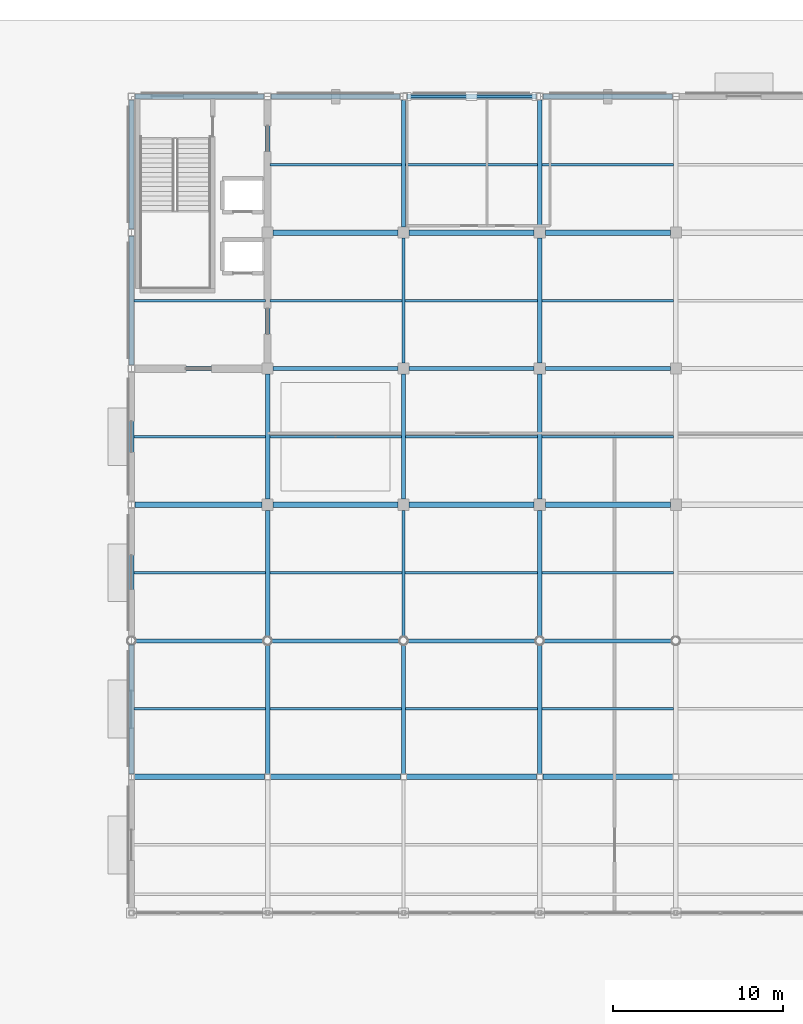
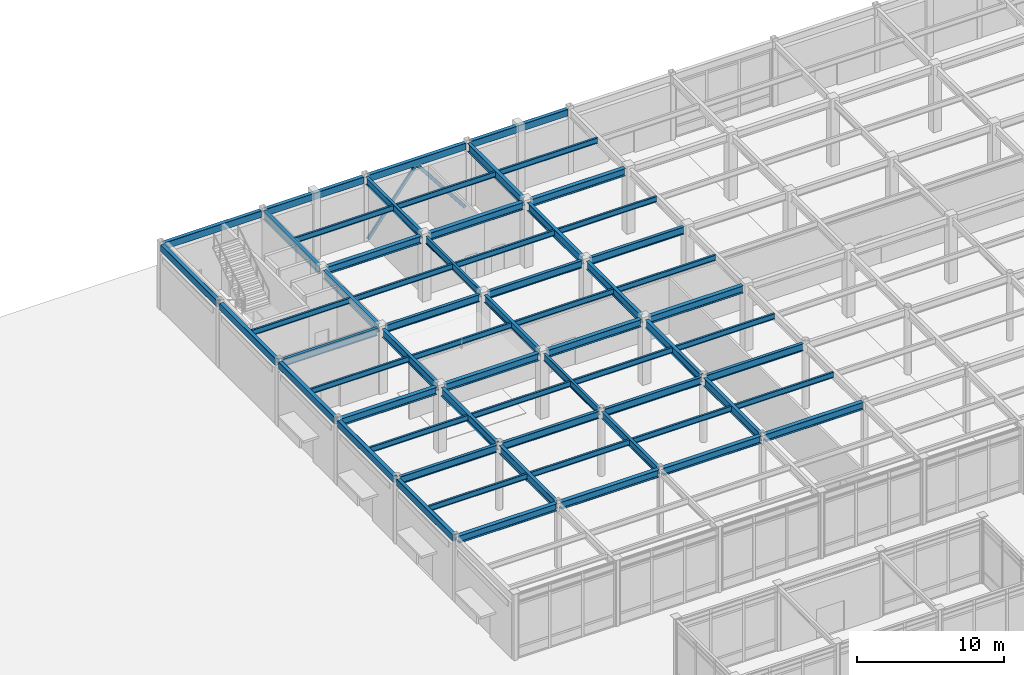
# One storey, part 65 of 128: 62 beams, 2 members.
"""IFC4 building model written with IfcOpenShell, lengths in metres."""

from ifc_helpers import new_model, si_unit, direction, frame, origin, origin_2d, place, context, subcontext, project, spatial, hollow_rectangle, i_section, extrude, material, material_profile, profile_set, type_object, element, save


model = new_model("IFC4")

# Units and contexts
model_context = context("Model", 3, precision=1e-05, world=origin(), true_north=direction((0.0, 1.0)))
body_context = subcontext(model_context, "Body", "Model", "MODEL_VIEW")
ifc_project = project(units=[si_unit("LENGTHUNIT", "METRE"), si_unit("AREAUNIT", "SQUARE_METRE"), si_unit("VOLUMEUNIT", "CUBIC_METRE"), si_unit("PLANEANGLEUNIT", "RADIAN"), si_unit("MASSUNIT", "GRAM", prefix="KILO")], contexts=[model_context])

# Site, building, storey
site_placement = place(None, origin())
site = spatial("IfcSite", under=ifc_project, at=site_placement, CompositionType="ELEMENT")
building_placement = place(site_placement, origin())
building = spatial("IfcBuilding", under=site, at=building_placement, Name="Solmirada Galleria", CompositionType="ELEMENT")
storey_placement = place(building_placement, origin())
storey = spatial("IfcBuildingStorey", under=building, at=storey_placement, Name="L00", CompositionType="ELEMENT", Elevation=0.0)

# Beams
ifc_material_1 = material(Name="Steel S355 / ASTM A992 Grade 50", Category="steel")
ifc_material_profile_1 = material_profile(ifc_material_1, i_section(OverallWidth=0.323974609375, OverallDepth=0.611083984375, WebThickness=0.0126953125, FlangeThickness=0.01904296875, FilletRadius=0.014892578125, at=origin_2d()), Name="W24X104")
ifc_profile_set_1 = profile_set([ifc_material_profile_1], Name="Steel S355 / ASTM A992 Grade 50")
beam_type_1 = type_object("IfcBeamType", Name="BM-GIRD-W24A", PredefinedType="BEAM", material=ifc_profile_set_1)
beam_1_placement = place(storey_placement, frame((40.177978515625, 80.0, 5.074462890625), z_axis=(1.0, 0.0, 0.0), x_axis=(0.0, 1.0, 0.0)))
element("IfcBeam", 1, at=beam_1_placement, inside=storey, type_object=beam_type_1, Name="Primary beam L01 X(40..48, 80)", PredefinedType="BEAM", context=body_context, shape_type="SweptSolid", body=[
    extrude(i_section(OverallWidth=0.323974609375, OverallDepth=0.611083984375, WebThickness=0.0126953125, FlangeThickness=0.01904296875, FilletRadius=0.014892578125, at=origin_2d()), origin(), (0.0, 0.0, 1.0), 7.64404296875),
])
beam_2_placement = place(storey_placement, frame((40.202880859375, 96.0, 5.074462890625), z_axis=(1.0, 0.0, 0.0), x_axis=(0.0, 1.0, 0.0)))
element("IfcBeam", 2, at=beam_2_placement, inside=storey, type_object=beam_type_1, Name="Primary beam L01 X(40..48, 96)", PredefinedType="BEAM", context=body_context, shape_type="SweptSolid", body=[
    extrude(i_section(OverallWidth=0.323974609375, OverallDepth=0.611083984375, WebThickness=0.0126953125, FlangeThickness=0.01904296875, FilletRadius=0.014892578125, at=origin_2d()), origin(), (0.0, 0.0, 1.0), 7.47216796875),
])
beam_3_placement = place(storey_placement, frame((48.177978515625, 80.0, 5.074462890625), z_axis=(1.0, 0.0, 0.0), x_axis=(0.0, 1.0, 0.0)))
element("IfcBeam", 3, at=beam_3_placement, inside=storey, type_object=beam_type_1, Name="Primary beam L01 X(48..56, 80)", PredefinedType="BEAM", context=body_context, shape_type="SweptSolid", body=[
    extrude(i_section(OverallWidth=0.323974609375, OverallDepth=0.611083984375, WebThickness=0.0126953125, FlangeThickness=0.01904296875, FilletRadius=0.014892578125, at=origin_2d()), origin(), (0.0, 0.0, 1.0), 7.64404296875),
])
for number, where, z_axis, x_axis, name in (
    (4, (48.324951171875, 96.0, 5.074462890625), (1.0, 0.0, 0.0), (0.0, 1.0, 0.0), "Primary beam L01 X(48..56, 96)"),
    (5, (48.324951171875, 112.0, 5.074462890625), (1.0, 0.0, 0.0), (0.0, 1.0, 0.0), "Primary beam L01 X(48..56, 112)"),
):
    element("IfcBeam", number, at=place(storey_placement, frame(where, z_axis=z_axis, x_axis=x_axis)), inside=storey, type_object=beam_type_1, Name=name, PredefinedType="BEAM", context=body_context, shape_type="SweptSolid", body=[
        extrude(i_section(OverallWidth=0.323974609375, OverallDepth=0.611083984375, WebThickness=0.0126953125, FlangeThickness=0.01904296875, FilletRadius=0.014892578125, at=origin_2d()), origin(), (0.0, 0.0, 1.0), 7.35009765625),
    ])
beam_4_placement = place(storey_placement, frame((56.177978515625, 80.0, 5.074462890625), z_axis=(1.0, 0.0, 0.0), x_axis=(0.0, 1.0, 0.0)))
element("IfcBeam", 6, at=beam_4_placement, inside=storey, type_object=beam_type_1, Name="Primary beam L01 X(56..64, 80)", PredefinedType="BEAM", context=body_context, shape_type="SweptSolid", body=[
    extrude(i_section(OverallWidth=0.323974609375, OverallDepth=0.611083984375, WebThickness=0.0126953125, FlangeThickness=0.01904296875, FilletRadius=0.014892578125, at=origin_2d()), origin(), (0.0, 0.0, 1.0), 7.64404296875),
])
for number, where, z_axis, x_axis, name in (
    (7, (56.324951171875, 96.0, 5.074462890625), (1.0, 0.0, 0.0), (0.0, 1.0, 0.0), "Primary beam L01 X(56..64, 96)"),
    (8, (56.324951171875, 112.0, 5.074462890625), (1.0, 0.0, 0.0), (0.0, 1.0, 0.0), "Primary beam L01 X(56..64, 112)"),
):
    element("IfcBeam", number, at=place(storey_placement, frame(where, z_axis=z_axis, x_axis=x_axis)), inside=storey, type_object=beam_type_1, Name=name, PredefinedType="BEAM", context=body_context, shape_type="SweptSolid", body=[
        extrude(i_section(OverallWidth=0.323974609375, OverallDepth=0.611083984375, WebThickness=0.0126953125, FlangeThickness=0.01904296875, FilletRadius=0.014892578125, at=origin_2d()), origin(), (0.0, 0.0, 1.0), 7.35009765625),
    ])
beam_5_placement = place(storey_placement, frame((64.177978515625, 80.0, 5.074462890625), z_axis=(1.0, 0.0, 0.0), x_axis=(0.0, 1.0, 0.0)))
element("IfcBeam", 9, at=beam_5_placement, inside=storey, type_object=beam_type_1, Name="Primary beam L01 X(64..72, 80)", PredefinedType="BEAM", context=body_context, shape_type="SweptSolid", body=[
    extrude(i_section(OverallWidth=0.323974609375, OverallDepth=0.611083984375, WebThickness=0.0126953125, FlangeThickness=0.01904296875, FilletRadius=0.014892578125, at=origin_2d()), origin(), (0.0, 0.0, 1.0), 7.64404296875),
])
for number, where, z_axis, x_axis, name in (
    (10, (64.324951171875, 96.0, 5.074462890625), (1.0, 0.0, 0.0), (0.0, 1.0, 0.0), "Primary beam L01 X(64..72, 96)"),
    (11, (64.324951171875, 112.0, 5.074462890625), (1.0, 0.0, 0.0), (0.0, 1.0, 0.0), "Primary beam L01 X(64..72, 112)"),
):
    element("IfcBeam", number, at=place(storey_placement, frame(where, z_axis=z_axis, x_axis=x_axis)), inside=storey, type_object=beam_type_1, Name=name, PredefinedType="BEAM", context=body_context, shape_type="SweptSolid", body=[
        extrude(i_section(OverallWidth=0.323974609375, OverallDepth=0.611083984375, WebThickness=0.0126953125, FlangeThickness=0.01904296875, FilletRadius=0.014892578125, at=origin_2d()), origin(), (0.0, 0.0, 1.0), 7.35009765625),
    ])
ifc_material_profile_2 = material_profile(ifc_material_1, i_section(OverallWidth=0.22900390625, OverallDepth=0.612060546875, WebThickness=0.011962890625, FlangeThickness=0.01953125, FilletRadius=0.014892578125, at=origin_2d()), Name="W24X84")
ifc_profile_set_2 = profile_set([ifc_material_profile_2], Name="Steel S355 / ASTM A992 Grade 50")
beam_type_2 = type_object("IfcBeamType", Name="BM-GIRD-W24B", PredefinedType="BEAM", material=ifc_profile_set_2)
beam_6_placement = place(storey_placement, frame((40.21337890625, 88.0, 5.073974609375), z_axis=(1.0, 0.0, 0.0), x_axis=(0.0, 1.0, 0.0)))
element("IfcBeam", 12, at=beam_6_placement, inside=storey, type_object=beam_type_2, Name="Primary beam L01 X(40..48, 88)", PredefinedType="BEAM", context=body_context, shape_type="SweptSolid", body=[
    extrude(i_section(OverallWidth=0.22900390625, OverallDepth=0.612060546875, WebThickness=0.011962890625, FlangeThickness=0.01953125, FilletRadius=0.014892578125, at=origin_2d()), origin(), (0.0, 0.0, 1.0), 7.5732421875),
])
beam_7_placement = place(storey_placement, frame((40.202880859375, 104.0, 5.073974609375), z_axis=(1.0, 0.0, 0.0), x_axis=(0.0, 1.0, 0.0)))
element("IfcBeam", 13, at=beam_7_placement, inside=storey, type_object=beam_type_2, Name="Primary beam L01 X(40..48, 104)", PredefinedType="BEAM", context=body_context, shape_type="SweptSolid", body=[
    extrude(i_section(OverallWidth=0.22900390625, OverallDepth=0.612060546875, WebThickness=0.011962890625, FlangeThickness=0.01953125, FilletRadius=0.014892578125, at=origin_2d()), origin(), (0.0, 0.0, 1.0), 7.47216796875),
])
beam_8_placement = place(storey_placement, frame((48.21337890625, 88.0, 5.073974609375), z_axis=(1.0, 0.0, 0.0), x_axis=(0.0, 1.0, 0.0)))
element("IfcBeam", 14, at=beam_8_placement, inside=storey, type_object=beam_type_2, Name="Primary beam L01 X(48..56, 88)", PredefinedType="BEAM", context=body_context, shape_type="SweptSolid", body=[
    extrude(i_section(OverallWidth=0.22900390625, OverallDepth=0.612060546875, WebThickness=0.011962890625, FlangeThickness=0.01953125, FilletRadius=0.014892578125, at=origin_2d()), origin(), (0.0, 0.0, 1.0), 7.5732421875),
])
beam_9_placement = place(storey_placement, frame((48.324951171875, 104.0, 5.073974609375), z_axis=(1.0, 0.0, 0.0), x_axis=(0.0, 1.0, 0.0)))
element("IfcBeam", 15, at=beam_9_placement, inside=storey, type_object=beam_type_2, Name="Primary beam L01 X(48..56, 104)", PredefinedType="BEAM", context=body_context, shape_type="SweptSolid", body=[
    extrude(i_section(OverallWidth=0.22900390625, OverallDepth=0.612060546875, WebThickness=0.011962890625, FlangeThickness=0.01953125, FilletRadius=0.014892578125, at=origin_2d()), origin(), (0.0, 0.0, 1.0), 7.35009765625),
])
beam_10_placement = place(storey_placement, frame((56.21337890625, 88.0, 5.073974609375), z_axis=(1.0, 0.0, 0.0), x_axis=(0.0, 1.0, 0.0)))
element("IfcBeam", 16, at=beam_10_placement, inside=storey, type_object=beam_type_2, Name="Primary beam L01 X(56..64, 88)", PredefinedType="BEAM", context=body_context, shape_type="SweptSolid", body=[
    extrude(i_section(OverallWidth=0.22900390625, OverallDepth=0.612060546875, WebThickness=0.011962890625, FlangeThickness=0.01953125, FilletRadius=0.014892578125, at=origin_2d()), origin(), (0.0, 0.0, 1.0), 7.5732421875),
])
beam_11_placement = place(storey_placement, frame((56.324951171875, 104.0, 5.073974609375), z_axis=(1.0, 0.0, 0.0), x_axis=(0.0, 1.0, 0.0)))
element("IfcBeam", 17, at=beam_11_placement, inside=storey, type_object=beam_type_2, Name="Primary beam L01 X(56..64, 104)", PredefinedType="BEAM", context=body_context, shape_type="SweptSolid", body=[
    extrude(i_section(OverallWidth=0.22900390625, OverallDepth=0.612060546875, WebThickness=0.011962890625, FlangeThickness=0.01953125, FilletRadius=0.014892578125, at=origin_2d()), origin(), (0.0, 0.0, 1.0), 7.35009765625),
])
beam_12_placement = place(storey_placement, frame((64.21337890625, 88.0, 5.073974609375), z_axis=(1.0, 0.0, 0.0), x_axis=(0.0, 1.0, 0.0)))
element("IfcBeam", 18, at=beam_12_placement, inside=storey, type_object=beam_type_2, Name="Primary beam L01 X(64..72, 88)", PredefinedType="BEAM", context=body_context, shape_type="SweptSolid", body=[
    extrude(i_section(OverallWidth=0.22900390625, OverallDepth=0.612060546875, WebThickness=0.011962890625, FlangeThickness=0.01953125, FilletRadius=0.014892578125, at=origin_2d()), origin(), (0.0, 0.0, 1.0), 7.5732421875),
])
beam_13_placement = place(storey_placement, frame((64.324951171875, 104.0, 5.073974609375), z_axis=(1.0, 0.0, 0.0), x_axis=(0.0, 1.0, 0.0)))
element("IfcBeam", 19, at=beam_13_placement, inside=storey, type_object=beam_type_2, Name="Primary beam L01 X(64..72, 104)", PredefinedType="BEAM", context=body_context, shape_type="SweptSolid", body=[
    extrude(i_section(OverallWidth=0.22900390625, OverallDepth=0.612060546875, WebThickness=0.011962890625, FlangeThickness=0.01953125, FilletRadius=0.014892578125, at=origin_2d()), origin(), (0.0, 0.0, 1.0), 7.35009765625),
])
ifc_material_profile_3 = material_profile(ifc_material_1, i_section(OverallWidth=0.22802734375, OverallDepth=0.60302734375, WebThickness=0.010498046875, FlangeThickness=0.014892578125, FilletRadius=0.014892578125, at=origin_2d()), Name="W24X68")
ifc_profile_set_3 = profile_set([ifc_material_profile_3], Name="Steel S355 / ASTM A992 Grade 50")
beam_type_3 = type_object("IfcBeamType", Name="BM-GIRD-W24C", PredefinedType="BEAM", material=ifc_profile_set_3)
beam_14_placement = place(storey_placement, frame((56.0, 80.177978515625, 5.07861328125), z_axis=(0.0, 1.0, 0.0), x_axis=(-1.0, 0.0, 0.0)))
element("IfcBeam", 20, at=beam_14_placement, inside=storey, type_object=beam_type_3, Name="Primary girder L01 Y(56, 80..88)", PredefinedType="BEAM", context=body_context, shape_type="SweptSolid", body=[
    extrude(i_section(OverallWidth=0.22802734375, OverallDepth=0.60302734375, WebThickness=0.010498046875, FlangeThickness=0.014892578125, FilletRadius=0.014892578125, at=origin_2d()), origin(), (0.0, 0.0, 1.0), 7.608642578125),
])
beam_15_placement = place(storey_placement, frame((56.0, 96.324951171875, 5.07861328125), z_axis=(0.0, 1.0, 0.0), x_axis=(-1.0, 0.0, 0.0)))
element("IfcBeam", 21, at=beam_15_placement, inside=storey, type_object=beam_type_3, Name="Primary girder L01 Y(56, 96..104)", PredefinedType="BEAM", context=body_context, shape_type="SweptSolid", body=[
    extrude(i_section(OverallWidth=0.22802734375, OverallDepth=0.60302734375, WebThickness=0.010498046875, FlangeThickness=0.014892578125, FilletRadius=0.014892578125, at=origin_2d()), origin(), (0.0, 0.0, 1.0), 7.35009765625),
])
beam_16_placement = place(storey_placement, frame((56.0, 112.324951171875, 5.07861328125), z_axis=(0.0, 1.0, 0.0), x_axis=(-1.0, 0.0, 0.0)))
element("IfcBeam", 22, at=beam_16_placement, inside=storey, type_object=beam_type_3, Name="Primary girder L01 Y(56, 112..120)", PredefinedType="BEAM", context=body_context, shape_type="SweptSolid", body=[
    extrude(i_section(OverallWidth=0.22802734375, OverallDepth=0.60302734375, WebThickness=0.010498046875, FlangeThickness=0.014892578125, FilletRadius=0.014892578125, at=origin_2d()), origin(), (0.0, 0.0, 1.0), 7.47216796875),
])
ifc_material_profile_4 = material_profile(ifc_material_1, i_section(OverallWidth=0.177978515625, OverallDepth=0.59912109375, WebThickness=0.010009765625, FlangeThickness=0.0126953125, FilletRadius=0.013916015625, at=origin_2d()), Name="W24X55")
ifc_profile_set_4 = profile_set([ifc_material_profile_4], Name="Steel S355 / ASTM A992 Grade 50")
beam_type_4 = type_object("IfcBeamType", Name="BM-GIRD-W24D", PredefinedType="BEAM", material=ifc_profile_set_4)
beam_17_placement = place(storey_placement, frame((56.0, 88.21337890625, 5.08056640625), z_axis=(0.0, 1.0, 0.0), x_axis=(-1.0, 0.0, 0.0)))
element("IfcBeam", 23, at=beam_17_placement, inside=storey, type_object=beam_type_4, Name="Primary girder L01 Y(56, 88..96)", PredefinedType="BEAM", context=body_context, shape_type="SweptSolid", body=[
    extrude(i_section(OverallWidth=0.177978515625, OverallDepth=0.59912109375, WebThickness=0.010009765625, FlangeThickness=0.0126953125, FilletRadius=0.013916015625, at=origin_2d()), origin(), (0.0, 0.0, 1.0), 7.461669921875),
])
beam_18_placement = place(storey_placement, frame((56.0, 104.324951171875, 5.08056640625), z_axis=(0.0, 1.0, 0.0), x_axis=(-1.0, 0.0, 0.0)))
element("IfcBeam", 24, at=beam_18_placement, inside=storey, type_object=beam_type_4, Name="Primary girder L01 Y(56, 104..112)", PredefinedType="BEAM", context=body_context, shape_type="SweptSolid", body=[
    extrude(i_section(OverallWidth=0.177978515625, OverallDepth=0.59912109375, WebThickness=0.010009765625, FlangeThickness=0.0126953125, FilletRadius=0.013916015625, at=origin_2d()), origin(), (0.0, 0.0, 1.0), 7.35009765625),
])
ifc_material_profile_5 = material_profile(ifc_material_1, i_section(OverallWidth=0.256103515625, OverallDepth=0.693115234375, WebThickness=0.014404296875, FlangeThickness=0.023681640625, FilletRadius=0.01806640625, at=origin_2d()), Name="W27X114")
ifc_profile_set_5 = profile_set([ifc_material_profile_5], Name="Steel S355 / ASTM A992 Grade 50")
beam_type_5 = type_object("IfcBeamType", Name="BM-GIRD-W27A", PredefinedType="BEAM", material=ifc_profile_set_5)
beam_19_placement = place(storey_placement, frame((48.0, 80.177978515625, 5.033447265625), z_axis=(0.0, 1.0, 0.0), x_axis=(-1.0, 0.0, 0.0)))
element("IfcBeam", 25, at=beam_19_placement, inside=storey, type_object=beam_type_5, Name="Primary girder L01 Y(48, 80..88)", PredefinedType="BEAM", context=body_context, shape_type="SweptSolid", body=[
    extrude(i_section(OverallWidth=0.256103515625, OverallDepth=0.693115234375, WebThickness=0.014404296875, FlangeThickness=0.023681640625, FilletRadius=0.01806640625, at=origin_2d()), origin(), (0.0, 0.0, 1.0), 7.608642578125),
])
beam_20_placement = place(storey_placement, frame((48.0, 88.21337890625, 5.033447265625), z_axis=(0.0, 1.0, 0.0), x_axis=(-1.0, 0.0, 0.0)))
element("IfcBeam", 26, at=beam_20_placement, inside=storey, type_object=beam_type_5, Name="Primary girder L01 Y(48, 88..96)", PredefinedType="BEAM", context=body_context, shape_type="SweptSolid", body=[
    extrude(i_section(OverallWidth=0.256103515625, OverallDepth=0.693115234375, WebThickness=0.014404296875, FlangeThickness=0.023681640625, FilletRadius=0.01806640625, at=origin_2d()), origin(), (0.0, 0.0, 1.0), 7.461669921875),
])
for number, where, z_axis, x_axis, name in (
    (27, (48.0, 96.324951171875, 5.033447265625), (0.0, 1.0, 0.0), (-1.0, 0.0, 0.0), "Primary girder L01 Y(48, 96..104)"),
    (28, (48.0, 104.324951171875, 5.033447265625), (0.0, 1.0, 0.0), (-1.0, 0.0, 0.0), "Primary girder L01 Y(48, 104..112)"),
):
    element("IfcBeam", number, at=place(storey_placement, frame(where, z_axis=z_axis, x_axis=x_axis)), inside=storey, type_object=beam_type_5, Name=name, PredefinedType="BEAM", context=body_context, shape_type="SweptSolid", body=[
        extrude(i_section(OverallWidth=0.256103515625, OverallDepth=0.693115234375, WebThickness=0.014404296875, FlangeThickness=0.023681640625, FilletRadius=0.01806640625, at=origin_2d()), origin(), (0.0, 0.0, 1.0), 7.35009765625),
    ])
beam_21_placement = place(storey_placement, frame((48.0, 112.324951171875, 5.033447265625), z_axis=(0.0, 1.0, 0.0), x_axis=(-1.0, 0.0, 0.0)))
element("IfcBeam", 29, at=beam_21_placement, inside=storey, type_object=beam_type_5, Name="Primary girder L01 Y(48, 112..120)", PredefinedType="BEAM", context=body_context, shape_type="SweptSolid", body=[
    extrude(i_section(OverallWidth=0.256103515625, OverallDepth=0.693115234375, WebThickness=0.014404296875, FlangeThickness=0.023681640625, FilletRadius=0.01806640625, at=origin_2d()), origin(), (0.0, 0.0, 1.0), 7.47216796875),
])
ifc_material_profile_6 = material_profile(ifc_material_1, i_section(OverallWidth=0.25390625, OverallDepth=0.68408203125, WebThickness=0.012451171875, FlangeThickness=0.018798828125, FilletRadius=0.01708984375, at=origin_2d()), Name="W27X94")
ifc_profile_set_6 = profile_set([ifc_material_profile_6], Name="Steel S355 / ASTM A992 Grade 50")
beam_type_6 = type_object("IfcBeamType", Name="BM-GIRD-W27B", PredefinedType="BEAM", material=ifc_profile_set_6)
beam_22_placement = place(storey_placement, frame((64.0, 80.177978515625, 5.0380859375), z_axis=(0.0, 1.0, 0.0), x_axis=(-1.0, 0.0, 0.0)))
element("IfcBeam", 30, at=beam_22_placement, inside=storey, type_object=beam_type_6, Name="Primary girder L01 Y(64, 80..88)", PredefinedType="BEAM", context=body_context, shape_type="SweptSolid", body=[
    extrude(i_section(OverallWidth=0.25390625, OverallDepth=0.68408203125, WebThickness=0.012451171875, FlangeThickness=0.018798828125, FilletRadius=0.01708984375, at=origin_2d()), origin(), (0.0, 0.0, 1.0), 7.608642578125),
])
beam_23_placement = place(storey_placement, frame((64.0, 88.21337890625, 5.0380859375), z_axis=(0.0, 1.0, 0.0), x_axis=(-1.0, 0.0, 0.0)))
element("IfcBeam", 31, at=beam_23_placement, inside=storey, type_object=beam_type_6, Name="Primary girder L01 Y(64, 88..96)", PredefinedType="BEAM", context=body_context, shape_type="SweptSolid", body=[
    extrude(i_section(OverallWidth=0.25390625, OverallDepth=0.68408203125, WebThickness=0.012451171875, FlangeThickness=0.018798828125, FilletRadius=0.01708984375, at=origin_2d()), origin(), (0.0, 0.0, 1.0), 7.461669921875),
])
for number, where, z_axis, x_axis, name in (
    (32, (64.0, 96.324951171875, 5.0380859375), (0.0, 1.0, 0.0), (-1.0, 0.0, 0.0), "Primary girder L01 Y(64, 96..104)"),
    (33, (64.0, 104.324951171875, 5.0380859375), (0.0, 1.0, 0.0), (-1.0, 0.0, 0.0), "Primary girder L01 Y(64, 104..112)"),
):
    element("IfcBeam", number, at=place(storey_placement, frame(where, z_axis=z_axis, x_axis=x_axis)), inside=storey, type_object=beam_type_6, Name=name, PredefinedType="BEAM", context=body_context, shape_type="SweptSolid", body=[
        extrude(i_section(OverallWidth=0.25390625, OverallDepth=0.68408203125, WebThickness=0.012451171875, FlangeThickness=0.018798828125, FilletRadius=0.01708984375, at=origin_2d()), origin(), (0.0, 0.0, 1.0), 7.35009765625),
    ])
beam_24_placement = place(storey_placement, frame((64.0, 112.324951171875, 5.0380859375), z_axis=(0.0, 1.0, 0.0), x_axis=(-1.0, 0.0, 0.0)))
element("IfcBeam", 34, at=beam_24_placement, inside=storey, type_object=beam_type_6, Name="Primary girder L01 Y(64, 112..120)", PredefinedType="BEAM", context=body_context, shape_type="SweptSolid", body=[
    extrude(i_section(OverallWidth=0.25390625, OverallDepth=0.68408203125, WebThickness=0.012451171875, FlangeThickness=0.018798828125, FilletRadius=0.01708984375, at=origin_2d()), origin(), (0.0, 0.0, 1.0), 7.47216796875),
])
ifc_material_profile_7 = material_profile(ifc_material_1, i_section(OverallWidth=0.153076171875, OverallDepth=0.455078125, WebThickness=0.008056640625, FlangeThickness=0.01318359375, FilletRadius=0.011962890625, at=origin_2d()), Name="W18X40")
ifc_profile_set_7 = profile_set([ifc_material_profile_7], Name="Steel S355 / ASTM A992 Grade 50")
beam_type_7 = type_object("IfcBeamType", Name="BM-JST-W18A", PredefinedType="JOIST", material=ifc_profile_set_7)
for number, where, z_axis, x_axis, name in (
    (35, (40.152587890625, 84.0, 5.152587890625), (1.0, 0.0, 0.0), (0.0, 1.0, 0.0), "Composite floor joist L01 (40..48, 84.0)"),
    (36, (40.152587890625, 92.0, 5.152587890625), (1.0, 0.0, 0.0), (0.0, 1.0, 0.0), "Composite floor joist L01 (40..48, 92.0)"),
    (37, (40.152587890625, 100.0, 5.152587890625), (1.0, 0.0, 0.0), (0.0, 1.0, 0.0), "Composite floor joist L01 (40..48, 100.0)"),
    (38, (40.152587890625, 108.0, 5.152587890625), (1.0, 0.0, 0.0), (0.0, 1.0, 0.0), "Composite floor joist L01 (40..48, 108.0)"),
):
    element("IfcBeam", number, at=place(storey_placement, frame(where, z_axis=z_axis, x_axis=x_axis)), inside=storey, type_object=beam_type_7, Name=name, PredefinedType="JOIST", context=body_context, shape_type="SweptSolid", body=[
        extrude(i_section(OverallWidth=0.153076171875, OverallDepth=0.455078125, WebThickness=0.008056640625, FlangeThickness=0.01318359375, FilletRadius=0.011962890625, at=origin_2d()), origin(), (0.0, 0.0, 1.0), 7.719482421875),
    ])
beam_25_placement = place(storey_placement, frame((48.1279296875, 84.0, 5.152587890625), z_axis=(1.0, 0.0, 0.0), x_axis=(0.0, 1.0, 0.0)))
element("IfcBeam", 39, at=beam_25_placement, inside=storey, type_object=beam_type_7, Name="Composite floor joist L01 (48..56, 84.0)", PredefinedType="JOIST", context=body_context, shape_type="SweptSolid", body=[
    extrude(i_section(OverallWidth=0.153076171875, OverallDepth=0.455078125, WebThickness=0.008056640625, FlangeThickness=0.01318359375, FilletRadius=0.011962890625, at=origin_2d()), origin(), (0.0, 0.0, 1.0), 7.758056640625),
])
beam_26_placement = place(storey_placement, frame((48.1279296875, 92.0, 5.152587890625), z_axis=(1.0, 0.0, 0.0), x_axis=(0.0, 1.0, 0.0)))
element("IfcBeam", 40, at=beam_26_placement, inside=storey, type_object=beam_type_7, Name="Composite floor joist L01 (48..56, 92.0)", PredefinedType="JOIST", context=body_context, shape_type="SweptSolid", body=[
    extrude(i_section(OverallWidth=0.153076171875, OverallDepth=0.455078125, WebThickness=0.008056640625, FlangeThickness=0.01318359375, FilletRadius=0.011962890625, at=origin_2d()), origin(), (0.0, 0.0, 1.0), 7.782958984375),
])
beam_27_placement = place(storey_placement, frame((48.1279296875, 100.0, 5.152587890625), z_axis=(1.0, 0.0, 0.0), x_axis=(0.0, 1.0, 0.0)))
element("IfcBeam", 41, at=beam_27_placement, inside=storey, type_object=beam_type_7, Name="Composite floor joist L01 (48..56, 100.0)", PredefinedType="JOIST", context=body_context, shape_type="SweptSolid", body=[
    extrude(i_section(OverallWidth=0.153076171875, OverallDepth=0.455078125, WebThickness=0.008056640625, FlangeThickness=0.01318359375, FilletRadius=0.011962890625, at=origin_2d()), origin(), (0.0, 0.0, 1.0), 7.758056640625),
])
beam_28_placement = place(storey_placement, frame((48.1279296875, 108.0, 5.152587890625), z_axis=(1.0, 0.0, 0.0), x_axis=(0.0, 1.0, 0.0)))
element("IfcBeam", 42, at=beam_28_placement, inside=storey, type_object=beam_type_7, Name="Composite floor joist L01 (48..56, 108.0)", PredefinedType="JOIST", context=body_context, shape_type="SweptSolid", body=[
    extrude(i_section(OverallWidth=0.153076171875, OverallDepth=0.455078125, WebThickness=0.008056640625, FlangeThickness=0.01318359375, FilletRadius=0.011962890625, at=origin_2d()), origin(), (0.0, 0.0, 1.0), 7.782958984375),
])
beam_29_placement = place(storey_placement, frame((48.1279296875, 116.0, 5.152587890625), z_axis=(1.0, 0.0, 0.0), x_axis=(0.0, 1.0, 0.0)))
element("IfcBeam", 43, at=beam_29_placement, inside=storey, type_object=beam_type_7, Name="Composite floor joist L01 (48..56, 116.0)", PredefinedType="JOIST", context=body_context, shape_type="SweptSolid", body=[
    extrude(i_section(OverallWidth=0.153076171875, OverallDepth=0.455078125, WebThickness=0.008056640625, FlangeThickness=0.01318359375, FilletRadius=0.011962890625, at=origin_2d()), origin(), (0.0, 0.0, 1.0), 7.758056640625),
])
beam_30_placement = place(storey_placement, frame((56.114013671875, 84.0, 5.152587890625), z_axis=(1.0, 0.0, 0.0), x_axis=(0.0, 1.0, 0.0)))
element("IfcBeam", 44, at=beam_30_placement, inside=storey, type_object=beam_type_7, Name="Composite floor joist L01 (56..64, 84.0)", PredefinedType="JOIST", context=body_context, shape_type="SweptSolid", body=[
    extrude(i_section(OverallWidth=0.153076171875, OverallDepth=0.455078125, WebThickness=0.008056640625, FlangeThickness=0.01318359375, FilletRadius=0.011962890625, at=origin_2d()), origin(), (0.0, 0.0, 1.0), 7.759033203125),
])
beam_31_placement = place(storey_placement, frame((56.089111328125, 92.0, 5.152587890625), z_axis=(1.0, 0.0, 0.0), x_axis=(0.0, 1.0, 0.0)))
element("IfcBeam", 45, at=beam_31_placement, inside=storey, type_object=beam_type_7, Name="Composite floor joist L01 (56..64, 92.0)", PredefinedType="JOIST", context=body_context, shape_type="SweptSolid", body=[
    extrude(i_section(OverallWidth=0.153076171875, OverallDepth=0.455078125, WebThickness=0.008056640625, FlangeThickness=0.01318359375, FilletRadius=0.011962890625, at=origin_2d()), origin(), (0.0, 0.0, 1.0), 7.783935546875),
])
beam_32_placement = place(storey_placement, frame((56.114013671875, 100.0, 5.152587890625), z_axis=(1.0, 0.0, 0.0), x_axis=(0.0, 1.0, 0.0)))
element("IfcBeam", 46, at=beam_32_placement, inside=storey, type_object=beam_type_7, Name="Composite floor joist L01 (56..64, 100.0)", PredefinedType="JOIST", context=body_context, shape_type="SweptSolid", body=[
    extrude(i_section(OverallWidth=0.153076171875, OverallDepth=0.455078125, WebThickness=0.008056640625, FlangeThickness=0.01318359375, FilletRadius=0.011962890625, at=origin_2d()), origin(), (0.0, 0.0, 1.0), 7.759033203125),
])
beam_33_placement = place(storey_placement, frame((56.089111328125, 108.0, 5.152587890625), z_axis=(1.0, 0.0, 0.0), x_axis=(0.0, 1.0, 0.0)))
element("IfcBeam", 47, at=beam_33_placement, inside=storey, type_object=beam_type_7, Name="Composite floor joist L01 (56..64, 108.0)", PredefinedType="JOIST", context=body_context, shape_type="SweptSolid", body=[
    extrude(i_section(OverallWidth=0.153076171875, OverallDepth=0.455078125, WebThickness=0.008056640625, FlangeThickness=0.01318359375, FilletRadius=0.011962890625, at=origin_2d()), origin(), (0.0, 0.0, 1.0), 7.783935546875),
])
beam_34_placement = place(storey_placement, frame((56.114013671875, 116.0, 5.152587890625), z_axis=(1.0, 0.0, 0.0), x_axis=(0.0, 1.0, 0.0)))
element("IfcBeam", 48, at=beam_34_placement, inside=storey, type_object=beam_type_7, Name="Composite floor joist L01 (56..64, 116.0)", PredefinedType="JOIST", context=body_context, shape_type="SweptSolid", body=[
    extrude(i_section(OverallWidth=0.153076171875, OverallDepth=0.455078125, WebThickness=0.008056640625, FlangeThickness=0.01318359375, FilletRadius=0.011962890625, at=origin_2d()), origin(), (0.0, 0.0, 1.0), 7.759033203125),
])
for number, where, z_axis, x_axis, name in (
    (49, (64.126953125, 84.0, 5.152587890625), (1.0, 0.0, 0.0), (0.0, 1.0, 0.0), "Composite floor joist L01 (64..72, 84.0)"),
    (50, (64.126953125, 92.0, 5.152587890625), (1.0, 0.0, 0.0), (0.0, 1.0, 0.0), "Composite floor joist L01 (64..72, 92.0)"),
    (51, (64.126953125, 100.0, 5.152587890625), (1.0, 0.0, 0.0), (0.0, 1.0, 0.0), "Composite floor joist L01 (64..72, 100.0)"),
    (52, (64.126953125, 108.0, 5.152587890625), (1.0, 0.0, 0.0), (0.0, 1.0, 0.0), "Composite floor joist L01 (64..72, 108.0)"),
    (53, (64.126953125, 116.0, 5.152587890625), (1.0, 0.0, 0.0), (0.0, 1.0, 0.0), "Composite floor joist L01 (64..72, 116.0)"),
):
    element("IfcBeam", number, at=place(storey_placement, frame(where, z_axis=z_axis, x_axis=x_axis)), inside=storey, type_object=beam_type_7, Name=name, PredefinedType="JOIST", context=body_context, shape_type="SweptSolid", body=[
        extrude(i_section(OverallWidth=0.153076171875, OverallDepth=0.455078125, WebThickness=0.008056640625, FlangeThickness=0.01318359375, FilletRadius=0.011962890625, at=origin_2d()), origin(), (0.0, 0.0, 1.0), 7.7451171875),
    ])
ifc_material_2 = material(Name="Steel S355 / ASTM A500 Grade C", Category="steel")
ifc_material_profile_8 = material_profile(ifc_material_2, hollow_rectangle(XDim=0.304931640625, YDim=0.55908203125, WallThickness=0.01171875, InnerFilletRadius=0.01171875, OuterFilletRadius=0.023681640625, at=origin_2d()), Name="HSS22X12X1/2")
ifc_profile_set_8 = profile_set([ifc_material_profile_8], Name="Steel S355 / ASTM A500 Grade C")
beam_type_8 = type_object("IfcBeamType", Name="BM-SPAND-W21", PredefinedType="SPANDREL", material=ifc_profile_set_8)
for number, where, z_axis, x_axis, name in (
    (54, (40.202880859375, 120.0, 5.1005859375), (1.0, 0.0, 0.0), (0.0, 1.0, 0.0), "Primary beam L01 X(40..48, 120)"),
    (55, (48.202880859375, 120.0, 5.1005859375), (1.0, 0.0, 0.0), (0.0, 1.0, 0.0), "Primary beam L01 X(48..56, 120)"),
    (56, (56.202880859375, 120.0, 5.1005859375), (1.0, 0.0, 0.0), (0.0, 1.0, 0.0), "Primary beam L01 X(56..64, 120)"),
    (57, (64.202880859375, 120.0, 5.1005859375), (1.0, 0.0, 0.0), (0.0, 1.0, 0.0), "Primary beam L01 X(64..72, 120)"),
):
    element("IfcBeam", number, at=place(storey_placement, frame(where, z_axis=z_axis, x_axis=x_axis)), inside=storey, type_object=beam_type_8, Name=name, PredefinedType="SPANDREL", context=body_context, shape_type="SweptSolid", body=[
        extrude(hollow_rectangle(XDim=0.304931640625, YDim=0.55908203125, WallThickness=0.01171875, InnerFilletRadius=0.01171875, OuterFilletRadius=0.023681640625, at=origin_2d()), origin(), (0.0, 0.0, 1.0), 7.59423828125),
    ])
beam_35_placement = place(storey_placement, frame((40.0, 80.177978515625, 5.1005859375), z_axis=(0.0, 1.0, 0.0), x_axis=(-1.0, 0.0, 0.0)))
element("IfcBeam", 58, at=beam_35_placement, inside=storey, type_object=beam_type_8, Name="Primary girder L01 Y(40, 80..88)", PredefinedType="SPANDREL", context=body_context, shape_type="SweptSolid", body=[
    extrude(hollow_rectangle(XDim=0.304931640625, YDim=0.55908203125, WallThickness=0.01171875, InnerFilletRadius=0.01171875, OuterFilletRadius=0.023681640625, at=origin_2d()), origin(), (0.0, 0.0, 1.0), 7.608642578125),
])
beam_36_placement = place(storey_placement, frame((40.0, 88.21337890625, 5.1005859375), z_axis=(0.0, 1.0, 0.0), x_axis=(-1.0, 0.0, 0.0)))
element("IfcBeam", 59, at=beam_36_placement, inside=storey, type_object=beam_type_8, Name="Primary girder L01 Y(40, 88..96)", PredefinedType="SPANDREL", context=body_context, shape_type="SweptSolid", body=[
    extrude(hollow_rectangle(XDim=0.304931640625, YDim=0.55908203125, WallThickness=0.01171875, InnerFilletRadius=0.01171875, OuterFilletRadius=0.023681640625, at=origin_2d()), origin(), (0.0, 0.0, 1.0), 7.583740234375),
])
for number, where, z_axis, x_axis, name in (
    (60, (40.0, 96.202880859375, 5.1005859375), (0.0, 1.0, 0.0), (-1.0, 0.0, 0.0), "Primary girder L01 Y(40, 96..104)"),
    (61, (40.0, 104.202880859375, 5.1005859375), (0.0, 1.0, 0.0), (-1.0, 0.0, 0.0), "Primary girder L01 Y(40, 104..112)"),
    (62, (40.0, 112.202880859375, 5.1005859375), (0.0, 1.0, 0.0), (-1.0, 0.0, 0.0), "Primary girder L01 Y(40, 112..120)"),
):
    element("IfcBeam", number, at=place(storey_placement, frame(where, z_axis=z_axis, x_axis=x_axis)), inside=storey, type_object=beam_type_8, Name=name, PredefinedType="SPANDREL", context=body_context, shape_type="SweptSolid", body=[
        extrude(hollow_rectangle(XDim=0.304931640625, YDim=0.55908203125, WallThickness=0.01171875, InnerFilletRadius=0.01171875, OuterFilletRadius=0.023681640625, at=origin_2d()), origin(), (0.0, 0.0, 1.0), 7.59423828125),
    ])

# Members
ifc_material_profile_9 = material_profile(ifc_material_2, hollow_rectangle(XDim=0.152099609375, YDim=0.25390625, WallThickness=0.0087890625, InnerFilletRadius=0.0087890625, OuterFilletRadius=0.017822265625, at=origin_2d()), Name="HSS10X6X3/8")
ifc_profile_set_9 = profile_set([ifc_material_profile_9], Name="Steel S355 / ASTM A500 Grade C")
member_type = type_object("IfcMemberType", Name="MEM-CBF-EXT", PredefinedType="BRACE", material=ifc_profile_set_9)
for number, where, z_axis, x_axis, name in (
    (63, (56.202880859375, 120.0, 0.02001953125), (0.615679378184, 0.0, 0.787996766034), (0.0, 1.0, 0.0), "Braced frame diagonal CBF-N1 L00 A"),
    (64, (63.797119140625, 120.0, 0.02001953125), (-0.615679378184, 0.0, 0.787996766034), (0.0, -1.0, 0.0), "Braced frame diagonal CBF-N1 L00 B"),
):
    element("IfcMember", number, at=place(storey_placement, frame(where, z_axis=z_axis, x_axis=x_axis)), inside=storey, type_object=member_type, Name=name, PredefinedType="BRACE", context=body_context, shape_type="SweptSolid", body=[
        extrude(hollow_rectangle(XDim=0.152099609375, YDim=0.25390625, WallThickness=0.0087890625, InnerFilletRadius=0.0087890625, OuterFilletRadius=0.017822265625, at=origin_2d()), origin(), (0.0, 0.0, 1.0), 6.16748046875),
    ])

save(model, "model.ifc")
